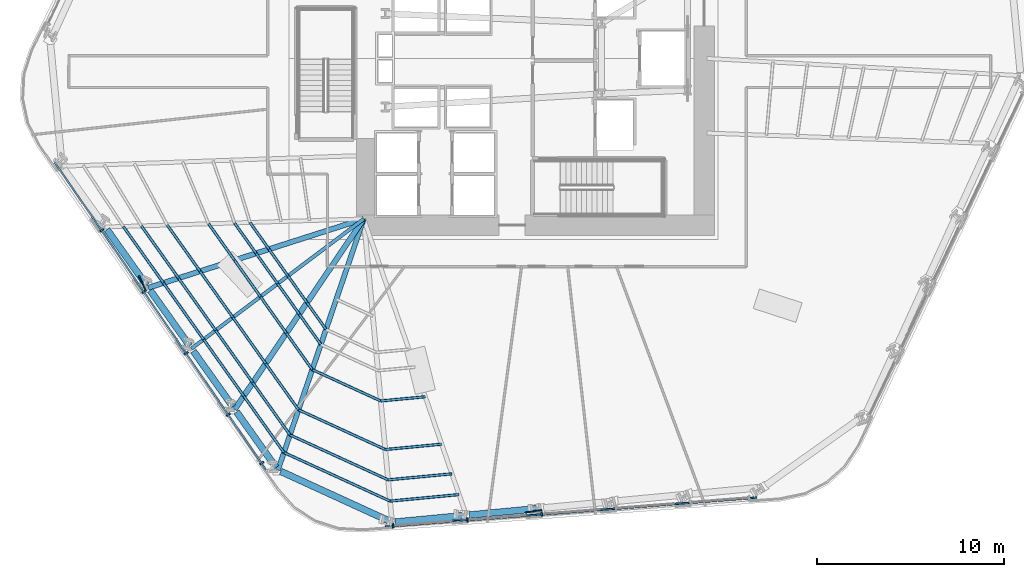
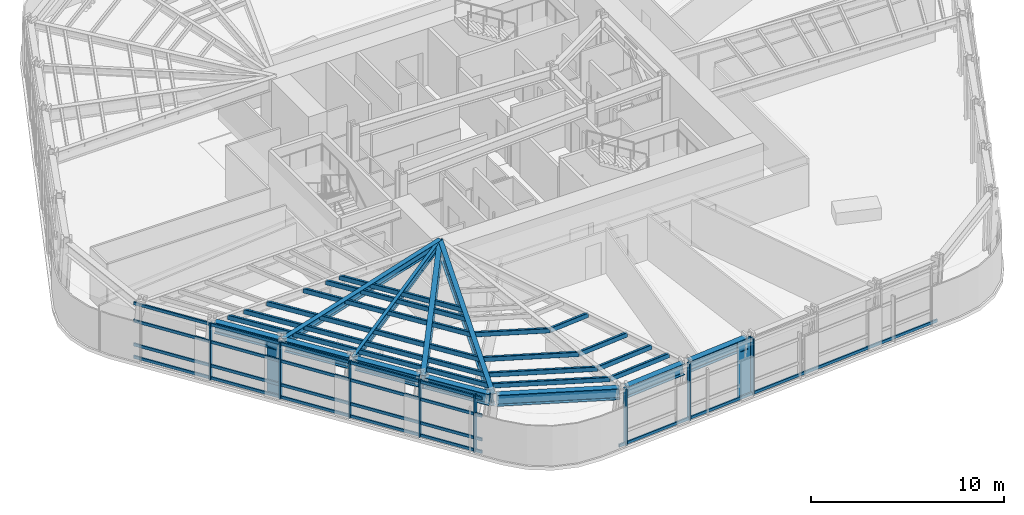
# One storey, part 2 of 15: 47 members, 11 beams, 2 elements without a shape of their own.
"""IFC4 building model written with IfcOpenShell, lengths in metres."""

from ifc_helpers import new_model, si_unit, direction, frame, origin, origin_2d, place, context, subcontext, project, spatial, rectangle, hollow_rectangle, i_section, extrude, material, layer, layer_set, material_profile, profile_set, type_object, element, aggregate, save


model = new_model("IFC4")

# Units and contexts
model_context = context("Model", 3, precision=1e-05, world=origin(), true_north=direction((0.0, 1.0)))
body_context = subcontext(model_context, "Body", "Model", "MODEL_VIEW")
ifc_project = project(units=[si_unit("LENGTHUNIT", "METRE"), si_unit("AREAUNIT", "SQUARE_METRE"), si_unit("VOLUMEUNIT", "CUBIC_METRE"), si_unit("PLANEANGLEUNIT", "RADIAN"), si_unit("MASSUNIT", "GRAM", prefix="KILO")], contexts=[model_context])

# Site, building, storey
site_placement = place(None, origin())
site = spatial("IfcSite", under=ifc_project, at=site_placement, CompositionType="ELEMENT")
building_placement = place(site_placement, origin())
building = spatial("IfcBuilding", under=site, at=building_placement, Name="Valkerne Bourse Tower", CompositionType="ELEMENT")
storey_placement = place(building_placement, frame((0.0, 0.0, 43.0)))
storey = spatial("IfcBuildingStorey", under=building, at=storey_placement, Name="L10", CompositionType="ELEMENT", Elevation=43.0)

# Beams
ifc_material_1 = material(Name="Steel ASTM A992", Category="steel")
ifc_material_profile_1 = material_profile(ifc_material_1, i_section(OverallWidth=0.1904296875, OverallDepth=0.457275390625, WebThickness=0.009033203125, FlangeThickness=0.014404296875, FilletRadius=0.01513671875, at=origin_2d()), Name="W18X50")
ifc_profile_set_1 = profile_set([ifc_material_profile_1], Name="Steel ASTM A992")
beam_type_1 = type_object("IfcBeamType", Name="BM-W18X50", PredefinedType="JOIST", material=ifc_profile_set_1)
beam_1_placement = place(storey_placement, frame((28.3681640625, 11.449951171875, 3.351318359375), z_axis=(0.798918661533, 0.601439084409, 0.0), x_axis=(-0.601439084409, 0.798918661533, 0.0)))
element("IfcBeam", 1, at=beam_1_placement, inside=storey, type_object=beam_type_1, Name="L10 Radial Composite Floor Beam 21", PredefinedType="JOIST", context=body_context, shape_type="SweptSolid", body=[
    extrude(i_section(OverallWidth=0.1904296875, OverallDepth=0.457275390625, WebThickness=0.009033203125, FlangeThickness=0.014404296875, FilletRadius=0.01513671875, at=origin_2d()), origin(), (0.0, 0.0, 1.0), 11.555419921875),
])
ifc_material_profile_2 = material_profile(ifc_material_1, i_section(OverallWidth=0.279296875, OverallDepth=0.46240234375, WebThickness=0.0107421875, FlangeThickness=0.017333984375, FilletRadius=0.017822265625, at=origin_2d()), Name="W18X76")
ifc_profile_set_2 = profile_set([ifc_material_profile_2], Name="Steel ASTM A992")
beam_type_2 = type_object("IfcBeamType", Name="BM-W18X76", PredefinedType="BEAM", material=ifc_profile_set_2)
beam_2_placement = place(storey_placement, frame((26.05322265625, 14.707275390625, 3.348876953125), z_axis=(0.952480951654, 0.30459815616, 0.0), x_axis=(-0.30459815616, 0.952480951654, 0.0)))
element("IfcBeam", 2, at=beam_2_placement, inside=storey, type_object=beam_type_2, Name="L10 Radial Composite Floor Beam 20", PredefinedType="BEAM", context=body_context, shape_type="SweptSolid", body=[
    extrude(i_section(OverallWidth=0.279296875, OverallDepth=0.46240234375, WebThickness=0.0107421875, FlangeThickness=0.017333984375, FilletRadius=0.017822265625, at=origin_2d()), origin(), (0.0, 0.0, 1.0), 12.123046875),
])
ifc_material_profile_3 = material_profile(ifc_material_1, i_section(OverallWidth=0.358154296875, OverallDepth=0.7060546875, WebThickness=0.018310546875, FlangeThickness=0.0302734375, FilletRadius=0.02294921875, at=origin_2d()), Name="W27X178")
ifc_profile_set_3 = profile_set([ifc_material_profile_3], Name="Steel ASTM A992")
beam_type_3 = type_object("IfcBeamType", Name="BM-W27X178", PredefinedType="SPANDREL", material=ifc_profile_set_3)
beam_3_placement = place(storey_placement, frame((23.8369140625, 17.825927734375, 3.226806640625), z_axis=(0.579278361386, -0.815129793364, 0.0), x_axis=(0.815129793364, 0.579278361386, 0.0)))
element("IfcBeam", 3, at=beam_3_placement, inside=storey, type_object=beam_type_3, Name="L10 Hexagonal Spandrel Ring Beam 19", PredefinedType="SPANDREL", context=body_context, shape_type="SweptSolid", body=[
    extrude(i_section(OverallWidth=0.358154296875, OverallDepth=0.7060546875, WebThickness=0.018310546875, FlangeThickness=0.0302734375, FilletRadius=0.02294921875, at=origin_2d()), origin(), (0.0, 0.0, 1.0), 3.65625),
])
beam_4_placement = place(storey_placement, frame((26.15185546875, 14.568603515625, 3.226806640625), z_axis=(0.57926552254, -0.815138917238, 0.0), x_axis=(0.815138917238, 0.57926552254, 0.0)))
element("IfcBeam", 4, at=beam_4_placement, inside=storey, type_object=beam_type_3, Name="L10 Hexagonal Spandrel Ring Beam 20", PredefinedType="SPANDREL", context=body_context, shape_type="SweptSolid", body=[
    extrude(i_section(OverallWidth=0.358154296875, OverallDepth=0.7060546875, WebThickness=0.018310546875, FlangeThickness=0.0302734375, FilletRadius=0.02294921875, at=origin_2d()), origin(), (0.0, 0.0, 1.0), 3.65576171875),
])
beam_5_placement = place(storey_placement, frame((28.466552734375, 11.311279296875, 3.226806640625), z_axis=(0.579309893244, -0.815107384085, 0.0), x_axis=(0.815107384085, 0.579309893244, 0.0)))
element("IfcBeam", 5, at=beam_5_placement, inside=storey, type_object=beam_type_3, Name="L10 Hexagonal Spandrel Ring Beam 21", PredefinedType="SPANDREL", context=body_context, shape_type="SweptSolid", body=[
    extrude(i_section(OverallWidth=0.358154296875, OverallDepth=0.7060546875, WebThickness=0.018310546875, FlangeThickness=0.0302734375, FilletRadius=0.02294921875, at=origin_2d()), origin(), (0.0, 0.0, 1.0), 3.656005859375),
])
beam_6_placement = place(storey_placement, frame((30.781494140625, 8.05419921875, 3.226806640625), z_axis=(0.57926552254, -0.815138917238, 0.0), x_axis=(0.815138917238, 0.57926552254, 0.0)))
element("IfcBeam", 6, at=beam_6_placement, inside=storey, type_object=beam_type_3, Name="L10 Hexagonal Spandrel Ring Beam 22", PredefinedType="SPANDREL", context=body_context, shape_type="SweptSolid", body=[
    extrude(i_section(OverallWidth=0.358154296875, OverallDepth=0.7060546875, WebThickness=0.018310546875, FlangeThickness=0.0302734375, FilletRadius=0.02294921875, at=origin_2d()), origin(), (0.0, 0.0, 1.0), 3.65576171875),
])
beam_7_placement = place(storey_placement, frame((33.15234375, 4.86474609375, 3.226806640625), z_axis=(0.909232402618, -0.416288887708, 0.0), x_axis=(0.416288887708, 0.909232402618, 0.0)))
element("IfcBeam", 7, at=beam_7_placement, inside=storey, type_object=beam_type_3, Name="L10 Hexagonal Spandrel Ring Beam 23", PredefinedType="SPANDREL", context=body_context, shape_type="SweptSolid", body=[
    extrude(i_section(OverallWidth=0.358154296875, OverallDepth=0.7060546875, WebThickness=0.018310546875, FlangeThickness=0.0302734375, FilletRadius=0.02294921875, at=origin_2d()), origin(), (0.0, 0.0, 1.0), 6.388916015625),
])
for number, where, z_axis, x_axis, name in (
    (8, (39.28515625, 2.150390625, 3.226806640625), (0.995563937838, 0.094087436341, 0.0), (-0.094087436341, 0.995563937838, 0.0), "L10 Hexagonal Spandrel Ring Beam 24"),
    (9, (43.263427734375, 2.5263671875, 3.226806640625), (0.995563937838, 0.094087436341, 0.0), (-0.094087436341, 0.995563937838, 0.0), "L10 Hexagonal Spandrel Ring Beam 25"),
):
    element("IfcBeam", number, at=place(storey_placement, frame(where, z_axis=z_axis, x_axis=x_axis)), inside=storey, type_object=beam_type_3, Name=name, PredefinedType="SPANDREL", context=body_context, shape_type="SweptSolid", body=[
        extrude(i_section(OverallWidth=0.358154296875, OverallDepth=0.7060546875, WebThickness=0.018310546875, FlangeThickness=0.0302734375, FilletRadius=0.02294921875, at=origin_2d()), origin(), (0.0, 0.0, 1.0), 3.656005859375),
    ])
ifc_material_profile_4 = material_profile(ifc_material_1, i_section(OverallWidth=0.26806640625, OverallDepth=0.76953125, WebThickness=0.015625, FlangeThickness=0.025390625, FilletRadius=0.025390625, at=origin_2d()), Name="W30X132")
ifc_profile_set_4 = profile_set([ifc_material_profile_4], Name="Steel ASTM A992")
beam_type_4 = type_object("IfcBeamType", Name="BM-W30X132", PredefinedType="BEAM", material=ifc_profile_set_4)
beam_8_placement = place(storey_placement, frame((32.997802734375, 4.935546875, 3.1953125), z_axis=(0.323440290397, 0.946248581794, 0.0), x_axis=(-0.946248581794, 0.323440290397, 0.0)))
element("IfcBeam", 10, at=beam_8_placement, inside=storey, type_object=beam_type_4, Name="L10 Radial Composite Floor Beam 23", PredefinedType="BEAM", context=body_context, shape_type="SweptSolid", body=[
    extrude(i_section(OverallWidth=0.26806640625, OverallDepth=0.76953125, WebThickness=0.015625, FlangeThickness=0.025390625, FilletRadius=0.025390625, at=origin_2d()), origin(), (0.0, 0.0, 1.0), 14.229248046875),
])
ifc_material_profile_5 = material_profile(ifc_material_1, i_section(OverallWidth=0.2919921875, OverallDepth=0.8583984375, WebThickness=0.01708984375, FlangeThickness=0.031005859375, FilletRadius=0.025390625, at=origin_2d()), Name="W33X169")
ifc_profile_set_5 = profile_set([ifc_material_profile_5], Name="Steel ASTM A992")
beam_type_5 = type_object("IfcBeamType", Name="BM-W33X169", PredefinedType="BEAM", material=ifc_profile_set_5)
beam_9_placement = place(storey_placement, frame((30.682861328125, 8.192626953125, 3.150634765625), z_axis=(0.560994362921, 0.827819620914, 0.0), x_axis=(-0.827819620914, 0.560994362921, 0.0)))
element("IfcBeam", 11, at=beam_9_placement, inside=storey, type_object=beam_type_5, Name="L10 Radial Composite Floor Beam 22", PredefinedType="BEAM", context=body_context, shape_type="SweptSolid", body=[
    extrude(i_section(OverallWidth=0.2919921875, OverallDepth=0.8583984375, WebThickness=0.01708984375, FlangeThickness=0.031005859375, FilletRadius=0.025390625, at=origin_2d()), origin(), (0.0, 0.0, 1.0), 12.330322265625),
])

# Curtain wall, members
ifc_material_2 = material(Name="Aluminium AA 6063-T6", Category="aluminium")
ifc_layer = layer(ifc_material_2, 0.22509765625)
ifc_layer_set = layer_set([ifc_layer], Name="Aluminium AA 6063-T6")
curtain_wall_type = type_object("IfcCurtainWallType", Name="CW-01", PredefinedType="NOTDEFINED", material=ifc_layer_set)
curtain_wall_1_placement = place(storey_placement, origin())
curtain_wall_1 = element("IfcCurtainWall", 12, at=curtain_wall_1_placement, inside=storey, type_object=curtain_wall_type, Name="L10 Hexagonal Stick Curtain Wall Face 4", PredefinedType="NOTDEFINED")
ifc_material_profile_6 = material_profile(ifc_material_2, rectangle(XDim=0.090087890625, YDim=0.239990234375, at=origin_2d()), Name="CWM-90X240")
ifc_profile_set_6 = profile_set([ifc_material_profile_6], Name="Aluminium AA 6063-T6")
member_type_1 = type_object("IfcMemberType", Name="CW-MUL-240X90", PredefinedType="MULLION", material=ifc_profile_set_6)
member_1_placement = place(storey_placement, frame((23.55712890625, 17.7890625, 0.0), z_axis=(0.0, 0.0, 1.0), x_axis=(0.566414114299, -0.824120774597, 0.0)))
member_1 = element("IfcMember", 13, at=member_1_placement, type_object=member_type_1, Name="CW-L10-F4 Jamb Mullion 01A", PredefinedType="MULLION", context=body_context, shape_type="SweptSolid", body=[
    extrude(rectangle(XDim=0.090087890625, YDim=0.239990234375, at=origin_2d()), origin(), (0.0, 0.0, 1.0), 3.580078125),
])
member_2_placement = place(storey_placement, frame((25.820556640625, 14.495849609375, 0.0), z_axis=(0.0, 0.0, 1.0), x_axis=(0.566397117643, -0.824132456056, 0.0)))
member_2 = element("IfcMember", 14, at=member_2_placement, type_object=member_type_1, Name="CW-L10-F4 Jamb Mullion 02A", PredefinedType="MULLION", context=body_context, shape_type="SweptSolid", body=[
    extrude(rectangle(XDim=0.090087890625, YDim=0.239990234375, at=origin_2d()), origin(), (0.0, 0.0, 1.0), 3.580078125),
])
member_3_placement = place(storey_placement, frame((28.083740234375, 11.20263671875, 0.0), z_axis=(0.0, 0.0, 1.0), x_axis=(0.566414114299, -0.824120774597, 0.0)))
member_3 = element("IfcMember", 15, at=member_3_placement, type_object=member_type_1, Name="CW-L10-F4 Jamb Mullion 03A", PredefinedType="MULLION", context=body_context, shape_type="SweptSolid", body=[
    extrude(rectangle(XDim=0.090087890625, YDim=0.239990234375, at=origin_2d()), origin(), (0.0, 0.0, 1.0), 3.580078125),
])
member_4_placement = place(storey_placement, frame((30.34716796875, 7.909423828125, 0.0), z_axis=(0.0, 0.0, 1.0), x_axis=(0.566397117643, -0.824132456056, 0.0)))
member_4 = element("IfcMember", 16, at=member_4_placement, type_object=member_type_1, Name="CW-L10-F4 Jamb Mullion 04A", PredefinedType="MULLION", context=body_context, shape_type="SweptSolid", body=[
    extrude(rectangle(XDim=0.090087890625, YDim=0.239990234375, at=origin_2d()), origin(), (0.0, 0.0, 1.0), 3.580078125),
])
member_5_placement = place(storey_placement, frame((32.134765625, 5.30859375, 0.0), z_axis=(0.0, 0.0, 1.0), x_axis=(0.566397117643, -0.824132456056, 0.0)))
member_5 = element("IfcMember", 17, at=member_5_placement, type_object=member_type_1, Name="CW-L10-F4 Jamb Mullion 04B", PredefinedType="MULLION", context=body_context, shape_type="SweptSolid", body=[
    extrude(rectangle(XDim=0.090087890625, YDim=0.239990234375, at=origin_2d()), origin(), (0.0, 0.0, 1.0), 3.580078125),
])

curtain_wall_2_placement = place(storey_placement, origin())
curtain_wall_2 = element("IfcCurtainWall", 18, at=curtain_wall_2_placement, inside=storey, type_object=curtain_wall_type, Name="L10 Hexagonal Stick Curtain Wall Face 5", PredefinedType="NOTDEFINED")
member_6_placement = place(storey_placement, frame((39.171630859375, 1.9521484375, 0.0), z_axis=(0.0, 0.0, 1.0), x_axis=(0.99691780328, 0.078453129337, 0.0)))
member_6 = element("IfcMember", 19, at=member_6_placement, type_object=member_type_1, Name="CW-L10-F5 Jamb Mullion 00A", PredefinedType="MULLION", context=body_context, shape_type="SweptSolid", body=[
    extrude(rectangle(XDim=0.090087890625, YDim=0.239990234375, at=origin_2d()), origin(), (0.0, 0.0, 1.0), 3.580078125),
])
member_7_placement = place(storey_placement, frame((43.155517578125, 2.265625, 0.0), z_axis=(0.0, 0.0, 1.0), x_axis=(0.99691780328, 0.078453129337, 0.0)))
member_7 = element("IfcMember", 20, at=member_7_placement, type_object=member_type_1, Name="CW-L10-F5 Jamb Mullion 01A", PredefinedType="MULLION", context=body_context, shape_type="SweptSolid", body=[
    extrude(rectangle(XDim=0.090087890625, YDim=0.239990234375, at=origin_2d()), origin(), (0.0, 0.0, 1.0), 3.580078125),
])
member_8_placement = place(storey_placement, frame((47.13916015625, 2.5791015625, 0.0), z_axis=(0.0, 0.0, 1.0), x_axis=(0.99691780328, 0.078453129337, 0.0)))
member_8 = element("IfcMember", 21, at=member_8_placement, type_object=member_type_1, Name="CW-L10-F5 Jamb Mullion 02A", PredefinedType="MULLION", context=body_context, shape_type="SweptSolid", body=[
    extrude(rectangle(XDim=0.090087890625, YDim=0.239990234375, at=origin_2d()), origin(), (0.0, 0.0, 1.0), 3.580078125),
])

# Member
ifc_material_profile_7 = material_profile(ifc_material_2, rectangle(XDim=0.090087890625, YDim=0.179931640625, at=origin_2d()), Name="CWT-90X180")
ifc_profile_set_7 = profile_set([ifc_material_profile_7], Name="Aluminium AA 6063-T6")
member_type_2 = type_object("IfcMemberType", Name="CW-TRN-180X90", PredefinedType="USERDEFINED", material=ifc_profile_set_7)
member_9_placement = place(storey_placement, frame((21.039306640625, 21.4169921875, 0.1201171875), z_axis=(0.56641472718, -0.824120353367, 0.0), x_axis=(0.824120353367, 0.56641472718, 0.0)))
member_9 = element("IfcMember", 22, at=member_9_placement, type_object=member_type_2, Name="CW-L10-F4 Continuous Face Transom 1", ObjectType="TRANSOM", PredefinedType="USERDEFINED", context=body_context, shape_type="SweptSolid", body=[
    extrude(rectangle(XDim=0.090087890625, YDim=0.179931640625, at=origin_2d()), origin(), (0.0, 0.0, 1.0), 19.97998046875),
])

member_10_placement = place(storey_placement, frame((21.039306640625, 21.4169921875, 0.89990234375), z_axis=(0.56641472718, -0.824120353367, 0.0), x_axis=(0.824120353367, 0.56641472718, 0.0)))
member_10 = element("IfcMember", 23, at=member_10_placement, type_object=member_type_2, Name="CW-L10-F4 Continuous Face Transom 2", ObjectType="TRANSOM", PredefinedType="USERDEFINED", context=body_context, shape_type="SweptSolid", body=[
    extrude(rectangle(XDim=0.090087890625, YDim=0.179931640625, at=origin_2d()), origin(), (0.0, 0.0, 1.0), 19.97998046875),
])

member_11_placement = place(storey_placement, frame((21.039306640625, 21.4169921875, 2.39990234375), z_axis=(0.56641472718, -0.824120353367, 0.0), x_axis=(0.824120353367, 0.56641472718, 0.0)))
member_11 = element("IfcMember", 24, at=member_11_placement, type_object=member_type_2, Name="CW-L10-F4 Continuous Face Transom 3", ObjectType="TRANSOM", PredefinedType="USERDEFINED", context=body_context, shape_type="SweptSolid", body=[
    extrude(rectangle(XDim=0.090087890625, YDim=0.179931640625, at=origin_2d()), origin(), (0.0, 0.0, 1.0), 19.97998046875),
])

member_12_placement = place(storey_placement, frame((21.039306640625, 21.4169921875, 3.5), z_axis=(0.56641472718, -0.824120353367, 0.0), x_axis=(0.824120353367, 0.56641472718, 0.0)))
member_12 = element("IfcMember", 25, at=member_12_placement, type_object=member_type_2, Name="CW-L10-F4 Continuous Face Transom 4", ObjectType="TRANSOM", PredefinedType="USERDEFINED", context=body_context, shape_type="SweptSolid", body=[
    extrude(rectangle(XDim=0.090087890625, YDim=0.179931640625, at=origin_2d()), origin(), (0.0, 0.0, 1.0), 19.97998046875),
])

aggregate(curtain_wall_1, [member_9, member_10, member_11, member_12, member_1, member_2, member_3, member_4, member_5])

member_13_placement = place(storey_placement, frame((38.75439453125, 1.899169921875, 0.1201171875), z_axis=(0.996917293069, 0.078459612419, 0.0), x_axis=(-0.078459612419, 0.996917293069, 0.0)))
member_13 = element("IfcMember", 26, at=member_13_placement, type_object=member_type_2, Name="CW-L10-F5 Continuous Face Transom 1", ObjectType="TRANSOM", PredefinedType="USERDEFINED", context=body_context, shape_type="SweptSolid", body=[
    extrude(rectangle(XDim=0.090087890625, YDim=0.179931640625, at=origin_2d()), origin(), (0.0, 0.0, 1.0), 19.97998046875),
])

aggregate(curtain_wall_2, [member_13, member_6, member_7, member_8])

# Members
ifc_material_3 = material(Name="Bronze Anodised Aluminium AA 6063-T6", Category="aluminium")
ifc_material_profile_8 = material_profile(ifc_material_3, rectangle(XDim=0.070068359375, YDim=0.89990234375, at=origin_2d()), Name="FIN-70X900")
ifc_profile_set_8 = profile_set([ifc_material_profile_8], Name="Bronze Anodised Aluminium AA 6063-T6")
member_type_3 = type_object("IfcMemberType", Name="FIN-SOLAR-900", PredefinedType="USERDEFINED", material=ifc_profile_set_8)
for number, where, z_axis, x_axis, name in (
    (27, (25.73095703125, 14.944091796875, 0.00390625), (0.0, 0.0, 1.0), (-0.903283065069, -0.429045107604, 0.0), "L10 Bronze Anodised Solar Fin F4-02"),
    (28, (46.706298828125, 2.7255859375, 0.00390625), (0.0, 0.0, 1.0), (0.159413824389, -0.98721184788, 0.0), "L10 Bronze Anodised Solar Fin F5-02"),
):
    element("IfcMember", number, at=place(storey_placement, frame(where, z_axis=z_axis, x_axis=x_axis)), inside=storey, type_object=member_type_3, Name=name, ObjectType="SOLAR_FIN", PredefinedType="USERDEFINED", context=body_context, shape_type="SweptSolid", body=[
        extrude(rectangle(XDim=0.070068359375, YDim=0.89990234375, at=origin_2d()), origin(), (0.0, 0.0, 1.0), 3.572021484375),
    ])
ifc_material_4 = material(Name="Steel ASTM A500 Grade C", Category="steel")
ifc_material_profile_9 = material_profile(ifc_material_4, hollow_rectangle(XDim=0.14990234375, YDim=0.300048828125, WallThickness=0.012451171875, OuterFilletRadius=0.02490234375, at=origin_2d()), Name="HSS300X150X12.5")
ifc_profile_set_9 = profile_set([ifc_material_profile_9], Name="Steel ASTM A500 Grade C")
member_type_4 = type_object("IfcMemberType", Name="MBR-HSS300X150X12.5", PredefinedType="PURLIN", material=ifc_profile_set_9)
for number, where, z_axis, x_axis, name in (
    (29, (31.5009765625, 18.20849609375, 3.419921875), (0.579253263196, -0.815147629008, 0.0), (0.815147629008, 0.579253263196, 0.0), "L10 Secondary Composite Floor Purlin K-19"),
    (30, (32.51953125, 16.775146484375, 3.419921875), (0.579318827233, -0.815101034482, 0.0), (0.815101034482, 0.579318827233, 0.0), "L10 Secondary Composite Floor Purlin K-20"),
    (31, (33.5380859375, 15.342041015625, 3.419921875), (0.579160995618, -0.81521318755, 0.0), (0.81521318755, 0.579160995618, 0.0), "L10 Secondary Composite Floor Purlin K-21"),
    (32, (34.556396484375, 13.90869140625, 3.419921875), (0.579318827233, -0.815101034482, 0.0), (0.815101034482, 0.579318827233, 0.0), "L10 Secondary Composite Floor Purlin K-22"),
):
    element("IfcMember", number, at=place(storey_placement, frame(where, z_axis=z_axis, x_axis=x_axis)), inside=storey, type_object=member_type_4, Name=name, PredefinedType="PURLIN", context=body_context, shape_type="SweptSolid", body=[
        extrude(hollow_rectangle(XDim=0.14990234375, YDim=0.300048828125, WallThickness=0.012451171875, OuterFilletRadius=0.02490234375, at=origin_2d()), origin(), (0.0, 0.0, 1.0), 1.75830078125),
    ])
member_14_placement = place(storey_placement, frame((30.669189453125, 18.18212890625, 3.419921875), z_axis=(0.579352436387, -0.81507714632, 0.0), x_axis=(0.81507714632, 0.579352436387, 0.0)))
element("IfcMember", 33, at=member_14_placement, inside=storey, type_object=member_type_4, Name="L10 Secondary Composite Floor Purlin M-19", PredefinedType="PURLIN", context=body_context, shape_type="SweptSolid", body=[
    extrude(hollow_rectangle(XDim=0.14990234375, YDim=0.300048828125, WallThickness=0.012451171875, OuterFilletRadius=0.02490234375, at=origin_2d()), origin(), (0.0, 0.0, 1.0), 1.997802734375),
])
for number, where, z_axis, x_axis, name in (
    (34, (31.82666015625, 16.5537109375, 3.419921875), (0.579213542872, -0.81517585327, 0.0), (0.81517585327, 0.579213542872, 0.0), "L10 Secondary Composite Floor Purlin M-20"),
    (35, (32.98388671875, 14.925048828125, 3.419921875), (0.579294735551, -0.815118156688, 0.0), (0.815118156688, 0.579294735551, 0.0), "L10 Secondary Composite Floor Purlin M-21"),
    (36, (34.141357421875, 13.29638671875, 3.419921875), (0.579294735551, -0.815118156688, 0.0), (0.815118156688, 0.579294735551, 0.0), "L10 Secondary Composite Floor Purlin M-22"),
):
    element("IfcMember", number, at=place(storey_placement, frame(where, z_axis=z_axis, x_axis=x_axis)), inside=storey, type_object=member_type_4, Name=name, PredefinedType="PURLIN", context=body_context, shape_type="SweptSolid", body=[
        extrude(hollow_rectangle(XDim=0.14990234375, YDim=0.300048828125, WallThickness=0.012451171875, OuterFilletRadius=0.02490234375, at=origin_2d()), origin(), (0.0, 0.0, 1.0), 1.998046875),
    ])
for number, where, z_axis, x_axis, name in (
    (37, (27.065185546875, 18.069091796875, 3.419921875), (0.579274607139, -0.815132461336, 0.0), (0.815132461336, 0.579274607139, 0.0), "L10 Secondary Composite Floor Purlin O-19"),
    (38, (28.824462890625, 15.593505859375, 3.419921875), (0.579274607139, -0.815132461336, 0.0), (0.815132461336, 0.579274607139, 0.0), "L10 Secondary Composite Floor Purlin O-20"),
):
    element("IfcMember", number, at=place(storey_placement, frame(where, z_axis=z_axis, x_axis=x_axis)), inside=storey, type_object=member_type_4, Name=name, PredefinedType="PURLIN", context=body_context, shape_type="SweptSolid", body=[
        extrude(hollow_rectangle(XDim=0.14990234375, YDim=0.300048828125, WallThickness=0.012451171875, OuterFilletRadius=0.02490234375, at=origin_2d()), origin(), (0.0, 0.0, 1.0), 3.037109375),
    ])
member_15_placement = place(storey_placement, frame((30.583740234375, 13.117919921875, 3.419921875), z_axis=(0.579312566963, -0.815105483824, 0.0), x_axis=(0.815105483824, 0.579312566963, 0.0)))
element("IfcMember", 39, at=member_15_placement, inside=storey, type_object=member_type_4, Name="L10 Secondary Composite Floor Purlin O-21", PredefinedType="PURLIN", context=body_context, shape_type="SweptSolid", body=[
    extrude(hollow_rectangle(XDim=0.14990234375, YDim=0.300048828125, WallThickness=0.012451171875, OuterFilletRadius=0.02490234375, at=origin_2d()), origin(), (0.0, 0.0, 1.0), 3.036865234375),
])
member_16_placement = place(storey_placement, frame((32.343017578125, 10.642578125, 3.419921875), z_axis=(0.579274607139, -0.815132461336, 0.0), x_axis=(0.815132461336, 0.579274607139, 0.0)))
element("IfcMember", 40, at=member_16_placement, inside=storey, type_object=member_type_4, Name="L10 Secondary Composite Floor Purlin O-22", PredefinedType="PURLIN", context=body_context, shape_type="SweptSolid", body=[
    extrude(hollow_rectangle(XDim=0.14990234375, YDim=0.300048828125, WallThickness=0.012451171875, OuterFilletRadius=0.02490234375, at=origin_2d()), origin(), (0.0, 0.0, 1.0), 3.037109375),
])
member_17_placement = place(storey_placement, frame((34.102294921875, 8.1669921875, 3.419921875), z_axis=(0.909235017998, -0.416283175309, 0.0), x_axis=(0.416283175309, 0.909235017998, 0.0)))
element("IfcMember", 41, at=member_17_placement, inside=storey, type_object=member_type_4, Name="L10 Secondary Composite Floor Purlin O-23", PredefinedType="PURLIN", context=body_context, shape_type="SweptSolid", body=[
    extrude(hollow_rectangle(XDim=0.14990234375, YDim=0.300048828125, WallThickness=0.012451171875, OuterFilletRadius=0.02490234375, at=origin_2d()), origin(), (0.0, 0.0, 1.0), 5.114013671875),
])
member_18_placement = place(storey_placement, frame((38.752197265625, 6.0380859375, 3.419921875), z_axis=(0.995559197428, 0.09413758238, 0.0), x_axis=(-0.09413758238, 0.995559197428, 0.0)))
element("IfcMember", 42, at=member_18_placement, inside=storey, type_object=member_type_4, Name="L10 Secondary Composite Floor Purlin O-24", PredefinedType="PURLIN", context=body_context, shape_type="SweptSolid", body=[
    extrude(hollow_rectangle(XDim=0.14990234375, YDim=0.300048828125, WallThickness=0.012451171875, OuterFilletRadius=0.02490234375, at=origin_2d()), origin(), (0.0, 0.0, 1.0), 3.036865234375),
])
member_19_placement = place(storey_placement, frame((29.283203125, 18.138671875, 3.419921875), z_axis=(0.579290820847, -0.815120938808, 0.0), x_axis=(0.815120938808, 0.579290820847, 0.0)))
element("IfcMember", 43, at=member_19_placement, inside=storey, type_object=member_type_4, Name="L10 Secondary Composite Floor Purlin Z-19", PredefinedType="PURLIN", context=body_context, shape_type="SweptSolid", body=[
    extrude(hollow_rectangle(XDim=0.14990234375, YDim=0.300048828125, WallThickness=0.012451171875, OuterFilletRadius=0.02490234375, at=origin_2d()), origin(), (0.0, 0.0, 1.0), 2.397705078125),
])
member_20_placement = place(storey_placement, frame((30.672119140625, 16.184326171875, 3.419921875), z_axis=(0.579223159095, -0.815169020491, 0.0), x_axis=(0.815169020491, 0.579223159095, 0.0)))
element("IfcMember", 44, at=member_20_placement, inside=storey, type_object=member_type_4, Name="L10 Secondary Composite Floor Purlin Z-20", PredefinedType="PURLIN", context=body_context, shape_type="SweptSolid", body=[
    extrude(hollow_rectangle(XDim=0.14990234375, YDim=0.300048828125, WallThickness=0.012451171875, OuterFilletRadius=0.02490234375, at=origin_2d()), origin(), (0.0, 0.0, 1.0), 2.3974609375),
])
for number, where, z_axis, x_axis, name in (
    (45, (32.060791015625, 14.22998046875, 3.419921875), (0.579290820847, -0.815120938808, 0.0), (0.815120938808, 0.579290820847, 0.0), "L10 Secondary Composite Floor Purlin Z-21"),
    (46, (33.44970703125, 12.275634765625, 3.419921875), (0.579290820847, -0.815120938808, 0.0), (0.815120938808, 0.579290820847, 0.0), "L10 Secondary Composite Floor Purlin Z-22"),
):
    element("IfcMember", number, at=place(storey_placement, frame(where, z_axis=z_axis, x_axis=x_axis)), inside=storey, type_object=member_type_4, Name=name, PredefinedType="PURLIN", context=body_context, shape_type="SweptSolid", body=[
        extrude(hollow_rectangle(XDim=0.14990234375, YDim=0.300048828125, WallThickness=0.012451171875, OuterFilletRadius=0.02490234375, at=origin_2d()), origin(), (0.0, 0.0, 1.0), 2.397705078125),
    ])
member_21_placement = place(storey_placement, frame((34.838623046875, 10.3212890625, 3.419921875), z_axis=(0.909236527361, -0.416279878582, 0.0), x_axis=(0.416279878582, 0.909236527361, 0.0)))
element("IfcMember", 47, at=member_21_placement, inside=storey, type_object=member_type_4, Name="L10 Secondary Composite Floor Purlin Z-23", PredefinedType="PURLIN", context=body_context, shape_type="SweptSolid", body=[
    extrude(hollow_rectangle(XDim=0.14990234375, YDim=0.300048828125, WallThickness=0.012451171875, OuterFilletRadius=0.02490234375, at=origin_2d()), origin(), (0.0, 0.0, 1.0), 4.037353515625),
])
member_22_placement = place(storey_placement, frame((38.509521484375, 8.640625, 3.419921875), z_axis=(0.995563859147, 0.094088268984, 0.0), x_axis=(-0.094088268984, 0.995563859147, 0.0)))
element("IfcMember", 48, at=member_22_placement, inside=storey, type_object=member_type_4, Name="L10 Secondary Composite Floor Purlin Z-24", PredefinedType="PURLIN", context=body_context, shape_type="SweptSolid", body=[
    extrude(hollow_rectangle(XDim=0.14990234375, YDim=0.300048828125, WallThickness=0.012451171875, OuterFilletRadius=0.02490234375, at=origin_2d()), origin(), (0.0, 0.0, 1.0), 2.397705078125),
])
member_23_placement = place(storey_placement, frame((25.67919921875, 18.025390625, 3.419921875), z_axis=(0.579274216108, -0.815132739223, 0.0), x_axis=(0.815132739223, 0.579274216108, 0.0)))
element("IfcMember", 49, at=member_23_placement, inside=storey, type_object=member_type_4, Name="L10 Secondary Composite Floor Purlin T-19", PredefinedType="PURLIN", context=body_context, shape_type="SweptSolid", body=[
    extrude(hollow_rectangle(XDim=0.14990234375, YDim=0.300048828125, WallThickness=0.012451171875, OuterFilletRadius=0.02490234375, at=origin_2d()), origin(), (0.0, 0.0, 1.0), 3.4365234375),
])
member_24_placement = place(storey_placement, frame((27.669921875, 15.22412109375, 3.419921875), z_axis=(0.579307762423, -0.815108898489, 0.0), x_axis=(0.815108898489, 0.579307762423, 0.0)))
element("IfcMember", 50, at=member_24_placement, inside=storey, type_object=member_type_4, Name="L10 Secondary Composite Floor Purlin T-20", PredefinedType="PURLIN", context=body_context, shape_type="SweptSolid", body=[
    extrude(hollow_rectangle(XDim=0.14990234375, YDim=0.300048828125, WallThickness=0.012451171875, OuterFilletRadius=0.02490234375, at=origin_2d()), origin(), (0.0, 0.0, 1.0), 3.436279296875),
])
member_25_placement = place(storey_placement, frame((29.66064453125, 12.423095703125, 3.419921875), z_axis=(0.579240672697, -0.815156575815, 0.0), x_axis=(0.815156575815, 0.579240672697, 0.0)))
element("IfcMember", 51, at=member_25_placement, inside=storey, type_object=member_type_4, Name="L10 Secondary Composite Floor Purlin T-21", PredefinedType="PURLIN", context=body_context, shape_type="SweptSolid", body=[
    extrude(hollow_rectangle(XDim=0.14990234375, YDim=0.300048828125, WallThickness=0.012451171875, OuterFilletRadius=0.02490234375, at=origin_2d()), origin(), (0.0, 0.0, 1.0), 3.436767578125),
])
member_26_placement = place(storey_placement, frame((31.6513671875, 9.62158203125, 3.419921875), z_axis=(0.579307762423, -0.815108898489, 0.0), x_axis=(0.815108898489, 0.579307762423, 0.0)))
element("IfcMember", 52, at=member_26_placement, inside=storey, type_object=member_type_4, Name="L10 Secondary Composite Floor Purlin T-22", PredefinedType="PURLIN", context=body_context, shape_type="SweptSolid", body=[
    extrude(hollow_rectangle(XDim=0.14990234375, YDim=0.300048828125, WallThickness=0.012451171875, OuterFilletRadius=0.02490234375, at=origin_2d()), origin(), (0.0, 0.0, 1.0), 3.436279296875),
])
member_27_placement = place(storey_placement, frame((33.64208984375, 6.820556640625, 3.419921875), z_axis=(0.909240516161, -0.416271166154, 0.0), x_axis=(0.416271166154, 0.909240516161, 0.0)))
element("IfcMember", 53, at=member_27_placement, inside=storey, type_object=member_type_4, Name="L10 Secondary Composite Floor Purlin T-23", PredefinedType="PURLIN", context=body_context, shape_type="SweptSolid", body=[
    extrude(hollow_rectangle(XDim=0.14990234375, YDim=0.300048828125, WallThickness=0.012451171875, OuterFilletRadius=0.02490234375, at=origin_2d()), origin(), (0.0, 0.0, 1.0), 5.786865234375),
])
member_28_placement = place(storey_placement, frame((38.90380859375, 4.41162109375, 3.419921875), z_axis=(0.995566080583, 0.094064760629, 0.0), x_axis=(-0.094064760629, 0.995566080583, 0.0)))
element("IfcMember", 54, at=member_28_placement, inside=storey, type_object=member_type_4, Name="L10 Secondary Composite Floor Purlin T-24", PredefinedType="PURLIN", context=body_context, shape_type="SweptSolid", body=[
    extrude(hollow_rectangle(XDim=0.14990234375, YDim=0.300048828125, WallThickness=0.012451171875, OuterFilletRadius=0.02490234375, at=origin_2d()), origin(), (0.0, 0.0, 1.0), 3.436279296875),
])
for number, where, z_axis, x_axis, name in (
    (55, (24.708740234375, 17.9951171875, 3.419921875), (0.579285248257, -0.815124899112, 0.0), (0.815124899112, 0.579285248257, 0.0), "L10 Secondary Composite Floor Purlin U-19"),
    (56, (26.861572265625, 14.9658203125, 3.419921875), (0.579285248257, -0.815124899112, 0.0), (0.815124899112, 0.579285248257, 0.0), "L10 Secondary Composite Floor Purlin U-20"),
    (57, (29.014404296875, 11.9365234375, 3.419921875), (0.579241597127, -0.815155918924, 0.0), (0.815155918924, 0.579241597127, 0.0), "L10 Secondary Composite Floor Purlin U-21"),
    (58, (31.1669921875, 8.9072265625, 3.419921875), (0.579285248257, -0.815124899112, 0.0), (0.815124899112, 0.579285248257, 0.0), "L10 Secondary Composite Floor Purlin U-22"),
):
    element("IfcMember", number, at=place(storey_placement, frame(where, z_axis=z_axis, x_axis=x_axis)), inside=storey, type_object=member_type_4, Name=name, PredefinedType="PURLIN", context=body_context, shape_type="SweptSolid", body=[
        extrude(hollow_rectangle(XDim=0.14990234375, YDim=0.300048828125, WallThickness=0.012451171875, OuterFilletRadius=0.02490234375, at=origin_2d()), origin(), (0.0, 0.0, 1.0), 3.71630859375),
    ])
member_29_placement = place(storey_placement, frame((33.31982421875, 5.8779296875, 3.419921875), z_axis=(0.90924759258, -0.416255709136, 0.0), x_axis=(0.416255709136, 0.90924759258, 0.0)))
element("IfcMember", 59, at=member_29_placement, inside=storey, type_object=member_type_4, Name="L10 Secondary Composite Floor Purlin U-23", PredefinedType="PURLIN", context=body_context, shape_type="SweptSolid", body=[
    extrude(hollow_rectangle(XDim=0.14990234375, YDim=0.300048828125, WallThickness=0.012451171875, OuterFilletRadius=0.02490234375, at=origin_2d()), origin(), (0.0, 0.0, 1.0), 6.258056640625),
])
member_30_placement = place(storey_placement, frame((39.010009765625, 3.27294921875, 3.419921875), z_axis=(0.995558731066, 0.094142514294, 0.0), x_axis=(-0.094142514294, 0.995558731066, 0.0)))
element("IfcMember", 60, at=member_30_placement, inside=storey, type_object=member_type_4, Name="L10 Secondary Composite Floor Purlin U-24", PredefinedType="PURLIN", context=body_context, shape_type="SweptSolid", body=[
    extrude(hollow_rectangle(XDim=0.14990234375, YDim=0.300048828125, WallThickness=0.012451171875, OuterFilletRadius=0.02490234375, at=origin_2d()), origin(), (0.0, 0.0, 1.0), 3.71630859375),
])

save(model, "model.ifc")
